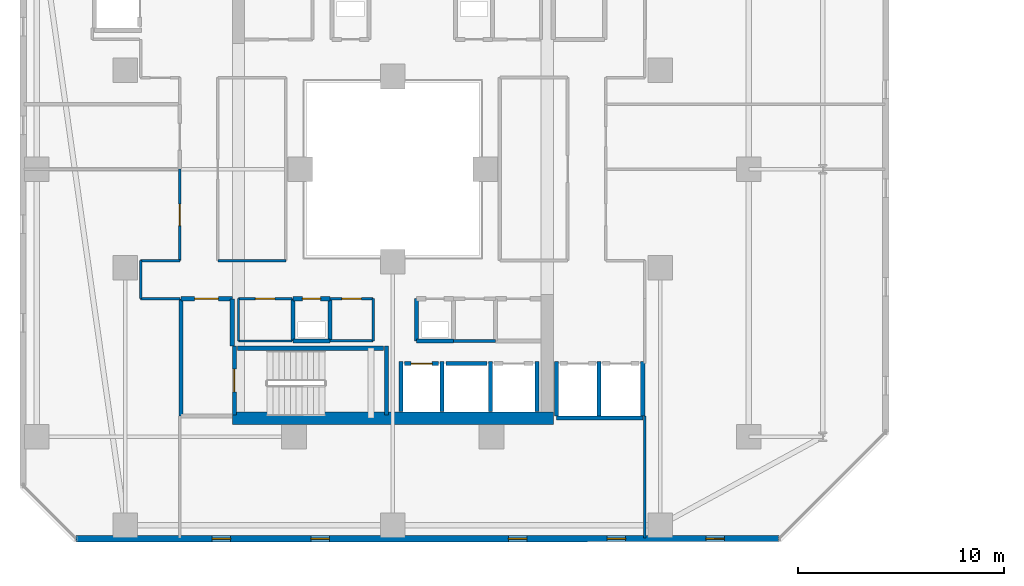
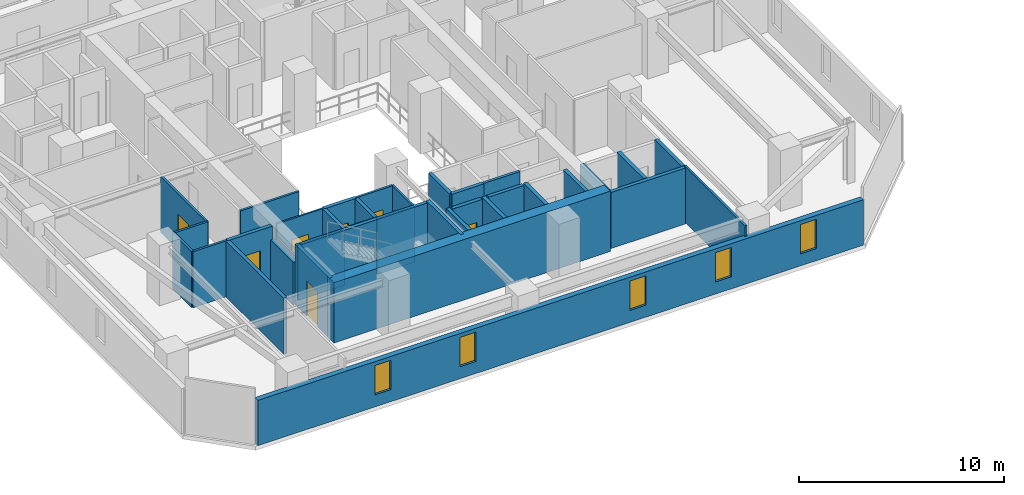
# One storey, part 16 of 31: 37 walls, 7 doors, 5 windows, 12 openings.
"""IFC4 building model written with IfcOpenShell, lengths in metres."""

from ifc_helpers import new_model, si_unit, direction, frame, frame_2d, origin, place, context, subcontext, project, spatial, rectangle, extrude, material, layer, layer_set, type_object, element, fill, save


model = new_model("IFC4")

# Units and contexts
model_context = context("Model", 3, precision=1e-05, world=origin(), true_north=direction((0.0, 1.0)))
body_context = subcontext(model_context, "Body", "Model", "MODEL_VIEW")
ifc_project = project(units=[si_unit("LENGTHUNIT", "METRE"), si_unit("AREAUNIT", "SQUARE_METRE"), si_unit("VOLUMEUNIT", "CUBIC_METRE"), si_unit("PLANEANGLEUNIT", "RADIAN"), si_unit("MASSUNIT", "GRAM", prefix="KILO")], contexts=[model_context])

# Site, building, storey
site_placement = place(None, origin())
site = spatial("IfcSite", under=ifc_project, at=site_placement, CompositionType="ELEMENT")
building_placement = place(site_placement, origin())
building = spatial("IfcBuilding", under=site, at=building_placement, Name="Thornwick Lancets Civic Towers", CompositionType="ELEMENT")
storey_placement = place(building_placement, frame((0.0, 0.0, 87.300048828125)))
storey = spatial("IfcBuildingStorey", under=building, at=storey_placement, Name="L22", CompositionType="ELEMENT", Elevation=87.300048828125)

# Wall, opening, door
ifc_material_1 = material(Name="Concrete blockwork C40/50", Category="masonry")
ifc_layer_1 = layer(ifc_material_1, 0.199951171875, Name="Concrete blockwork C40/50")
ifc_layer_set_1 = layer_set([ifc_layer_1], Name="Concrete blockwork C40/50")
wall_type_1 = type_object("IfcWallType", Name="WALL_COMP_200", PredefinedType="STANDARD", material=ifc_layer_set_1)
wall_1_placement = place(storey_placement, frame((26.080078125, 17.550048828125, 0.0), z_axis=(0.0, 0.0, 1.0), x_axis=(1.0, 0.0, 0.0)))
wall_1 = element("IfcWall", 1, at=wall_1_placement, inside=storey, type_object=wall_type_1, Name="L22 Hoistway Front Wall FL-A1", PredefinedType="STANDARD", context=body_context, shape_type="SweptSolid", body=[
    extrude(rectangle(XDim=1.639892578125, YDim=0.199951171875, at=frame_2d((0.81982421875, 0.0))), origin(), (0.0, 0.0, 1.0), 3.33984375),
])
opening_1_placement = place(wall_1_placement, frame((0.31005859375, 0.0, 0.0)))
opening_1 = element("IfcOpeningElement", 2, at=opening_1_placement, cuts=wall_1, Name="Opening LD-FL-A1", PredefinedType="OPENING", context=body_context, shape_type="SweptSolid", body=[
    extrude(rectangle(XDim=1.02001953125, YDim=2.06005859375, at=frame_2d((0.510009765625, 1.030029296875))), frame((0.0, 0.10986328125, 0.0), z_axis=(0.0, -1.0, 0.0), x_axis=(1.0, 0.0, 0.0)), (0.0, 0.0, 1.0), 0.219970703125),
])
ifc_material_2 = material(Name="Brushed bronze stainless steel", Category="steel")
door_type_1 = type_object("IfcDoorType", Name="DOOR_LIFT_SLIDE", OperationType="SLIDING_TO_LEFT", PredefinedType="DOOR", material=ifc_material_2)
door_1_placement = place(opening_1_placement, origin())
door_1 = element("IfcDoor", 3, at=door_1_placement, inside=storey, type_object=door_type_1, Name="L22 Sliding Lift Landing Door LD-FL-A1", OperationType="SLIDING_TO_LEFT", OverallHeight=2.06005859375, OverallWidth=1.02001953125, PredefinedType="DOOR", context=body_context, shape_type="SweptSolid", body=[
    extrude(rectangle(XDim=1.02001953125, YDim=2.06005859375, at=frame_2d((0.510009765625, 1.030029296875))), frame((0.0, 0.02490234375, 0.0), z_axis=(0.0, -1.0, 0.0), x_axis=(1.0, 0.0, 0.0)), (0.0, 0.0, 1.0), 0.050048828125),
])
fill(opening_1, door_1)

# Walls
wall_2_placement = place(storey_placement, frame((28.080078125, 17.550048828125, 0.0), z_axis=(0.0, 0.0, 1.0), x_axis=(1.0, 0.0, 0.0)))
element("IfcWall", 4, at=wall_2_placement, inside=storey, type_object=wall_type_1, Name="L22 Hoistway Front Wall PL-AH1", PredefinedType="STANDARD", context=body_context, shape_type="SweptSolid", body=[
    extrude(rectangle(XDim=1.989990234375, YDim=0.199951171875, at=frame_2d((0.9951171875, 0.0))), origin(), (0.0, 0.0, 1.0), 3.33984375),
])
for number, where, z_axis, x_axis, name in (
    (5, (27.89990234375, 15.2119140625, 0.0), (0.0, 0.0, 1.0), (0.0, 1.0, 0.0), "L22 Hoistway Shaft Wall FL-A1 E"),
    (6, (25.89990234375, 15.2119140625, 0.0), (0.0, 0.0, 1.0), (0.0, 1.0, 0.0), "L22 Hoistway Shaft Wall FL-A1 W"),
    (7, (30.25, 15.2119140625, 0.0), (0.0, 0.0, 1.0), (0.0, 1.0, 0.0), "L22 Hoistway Shaft Wall PL-AH1 E"),
    (8, (32.5, 15.2119140625, 0.0), (0.0, 0.0, 1.0), (0.0, 1.0, 0.0), "L22 Hoistway Shaft Wall PL-AL1 E"),
):
    element("IfcWall", number, at=place(storey_placement, frame(where, z_axis=z_axis, x_axis=x_axis)), inside=storey, type_object=wall_type_1, Name=name, PredefinedType="STANDARD", context=body_context, shape_type="SweptSolid", body=[
        extrude(rectangle(XDim=2.43603515625, YDim=0.199951171875, at=frame_2d((1.218017578125, 0.0))), origin(), (0.0, 0.0, 1.0), 3.33984375),
    ])
wall_3_placement = place(storey_placement, frame((33.451904296875, 14.89990234375, 0.0), z_axis=(0.0, 0.0, 1.0), x_axis=(1.0, 0.0, 0.0)))
element("IfcWall", 9, at=wall_3_placement, inside=storey, type_object=wall_type_1, Name="L22 Hoistway Shaft Wall PL-AL2 S", PredefinedType="STANDARD", context=body_context, shape_type="SweptSolid", body=[
    extrude(rectangle(XDim=4.196044921875, YDim=0.199951171875, at=frame_2d((2.09814453125, 0.0))), origin(), (0.0, 0.0, 1.0), 3.33984375),
])
for number, where, z_axis, x_axis, name in (
    (10, (35.52490234375, 15.011962890625, 0.0), (0.0, 0.0, 1.0), (0.0, 1.0, 0.0), "L22 Hoistway Shaft Wall PL-AL2 E"),
    (11, (33.449951171875, 15.011962890625, 0.0), (0.0, 0.0, 1.0), (0.0, 1.0, 0.0), "L22 Hoistway Shaft Wall PL-AL2 W"),
    (12, (37.64990234375, 15.011962890625, 0.0), (0.0, 0.0, 1.0), (0.0, 1.0, 0.0), "L22 Hoistway Shaft Wall PL-AL3 E"),
):
    element("IfcWall", number, at=place(storey_placement, frame(where, z_axis=z_axis, x_axis=x_axis)), inside=storey, type_object=wall_type_1, Name=name, PredefinedType="STANDARD", context=body_context, shape_type="SweptSolid", body=[
        extrude(rectangle(XDim=2.635986328125, YDim=0.199951171875, at=frame_2d((1.31787109375, 0.0))), origin(), (0.0, 0.0, 1.0), 3.33984375),
    ])
wall_4_placement = place(storey_placement, frame((17.699951171875, 18.39990234375, 0.0), z_axis=(0.0, 0.0, 1.0), x_axis=(0.0, 1.0, 0.0)))
element("IfcWall", 13, at=wall_4_placement, inside=storey, type_object=wall_type_1, Name="L22 Partition L22-A-FFLOB1 E2", PredefinedType="STANDARD", context=body_context, shape_type="SweptSolid", body=[
    extrude(rectangle(XDim=2.300048828125, YDim=0.199951171875, at=frame_2d((1.14990234375, 0.0))), origin(), (0.0, 0.0, 1.0), 2.544921875),
])

# Wall, opening, door
wall_5_placement = place(storey_placement, frame((17.699951171875, 20.699951171875, 0.0), z_axis=(0.0, 0.0, 1.0), x_axis=(-1.0, 0.0, 0.0)))
wall_5 = element("IfcWall", 14, at=wall_5_placement, inside=storey, type_object=wall_type_1, Name="L22 Partition L22-A-FFLOB1 E3", PredefinedType="STANDARD", context=body_context, shape_type="SweptSolid", body=[
    extrude(rectangle(XDim=2.5, YDim=0.199951171875, at=frame_2d((1.25, 0.0))), origin(), (0.0, 0.0, 1.0), 3.33984375),
])
opening_2_placement = place(wall_5_placement, frame((0.675048828125, 0.0, 0.0)))
opening_2 = element("IfcOpeningElement", 15, at=opening_2_placement, cuts=wall_5, Name="Opening D-L22-1007", PredefinedType="OPENING", context=body_context, shape_type="SweptSolid", body=[
    extrude(rectangle(XDim=1.14990234375, YDim=2.10009765625, at=frame_2d((0.574951171875, 1.050048828125))), frame((0.0, 0.10986328125, 0.0), z_axis=(0.0, -1.0, 0.0), x_axis=(1.0, 0.0, 0.0)), (0.0, 0.0, 1.0), 0.219970703125),
])
ifc_material_3 = material(Name="Glazed fire-resisting steel", Category="steel")
door_type_2 = type_object("IfcDoorType", Name="DOOR_LOBBY_FD60", OperationType="NOTDEFINED", PredefinedType="DOOR", material=ifc_material_3)
door_2_placement = place(opening_2_placement, origin())
door_2 = element("IfcDoor", 16, at=door_2_placement, inside=storey, type_object=door_type_2, Name="L22 South Firefighting Lobby 1 Door", OperationType="SINGLE_SWING_RIGHT", OverallHeight=2.10009765625, OverallWidth=1.14990234375, PredefinedType="DOOR", context=body_context, shape_type="SweptSolid", body=[
    extrude(rectangle(XDim=1.14990234375, YDim=2.10009765625, at=frame_2d((0.574951171875, 1.050048828125))), frame((0.0, 0.02490234375, 0.0), z_axis=(0.0, -1.0, 0.0), x_axis=(1.0, 0.0, 0.0)), (0.0, 0.0, 1.0), 0.050048828125),
])
fill(opening_2, door_2)

# Walls
wall_6_placement = place(storey_placement, frame((15.199951171875, 20.699951171875, 0.0), z_axis=(0.0, 0.0, 1.0), x_axis=(0.0, -1.0, 0.0)))
element("IfcWall", 17, at=wall_6_placement, inside=storey, type_object=wall_type_1, Name="L22 Partition L22-A-FFLOB1 E4", PredefinedType="STANDARD", context=body_context, shape_type="SweptSolid", body=[
    extrude(rectangle(XDim=5.699951171875, YDim=0.199951171875, at=frame_2d((2.85009765625, 0.0))), origin(), (0.0, 0.0, 1.0), 3.33984375),
])
wall_7_placement = place(storey_placement, frame((26.64990234375, 18.64990234375, 0.0), z_axis=(0.0, 0.0, 1.0), x_axis=(1.0, 0.0, 0.0)))
element("IfcWall", 18, at=wall_7_placement, inside=storey, type_object=wall_type_1, Name="L22 Partition L22-A-DUCT1 E1", PredefinedType="STANDARD", context=body_context, shape_type="SweptSolid", body=[
    extrude(rectangle(XDim=1.800048828125, YDim=0.199951171875, at=frame_2d((0.89990234375, 0.0))), origin(), (0.0, 0.0, 1.0), 3.33984375),
])
wall_8_placement = place(storey_placement, frame((26.64990234375, 20.699951171875, 0.0), z_axis=(0.0, 0.0, 1.0), x_axis=(0.0, -1.0, 0.0)))
element("IfcWall", 19, at=wall_8_placement, inside=storey, type_object=wall_type_1, Name="L22 Partition L22-A-DUCT1 E4", PredefinedType="STANDARD", context=body_context, shape_type="SweptSolid", body=[
    extrude(rectangle(XDim=2.050048828125, YDim=0.199951171875, at=frame_2d((1.02490234375, 0.0))), origin(), (0.0, 0.0, 1.0), 3.33984375),
])
wall_9_placement = place(storey_placement, frame((20.64990234375, 18.64990234375, 0.0), z_axis=(0.0, 0.0, 1.0), x_axis=(1.0, 0.0, 0.0)))
element("IfcWall", 20, at=wall_9_placement, inside=storey, type_object=wall_type_1, Name="L22 Partition L22-A-RISER1 E1", PredefinedType="STANDARD", context=body_context, shape_type="SweptSolid", body=[
    extrude(rectangle(XDim=1.800048828125, YDim=0.199951171875, at=frame_2d((0.89990234375, 0.0))), origin(), (0.0, 0.0, 1.0), 3.33984375),
])
wall_10_placement = place(storey_placement, frame((22.449951171875, 18.64990234375, 0.0), z_axis=(0.0, 0.0, 1.0), x_axis=(0.0, 1.0, 0.0)))
element("IfcWall", 21, at=wall_10_placement, inside=storey, type_object=wall_type_1, Name="L22 Partition L22-A-RISER1 E2", PredefinedType="STANDARD", context=body_context, shape_type="SweptSolid", body=[
    extrude(rectangle(XDim=2.050048828125, YDim=0.199951171875, at=frame_2d((1.02490234375, 0.0))), origin(), (0.0, 0.0, 1.0), 3.33984375),
])

# Wall, opening, door
wall_11_placement = place(storey_placement, frame((22.449951171875, 20.699951171875, 0.0), z_axis=(0.0, 0.0, 1.0), x_axis=(-1.0, 0.0, 0.0)))
wall_11 = element("IfcWall", 22, at=wall_11_placement, inside=storey, type_object=wall_type_1, Name="L22 Partition L22-A-RISER1 E3", PredefinedType="STANDARD", context=body_context, shape_type="SweptSolid", body=[
    extrude(rectangle(XDim=1.800048828125, YDim=0.199951171875, at=frame_2d((0.89990234375, 0.0))), origin(), (0.0, 0.0, 1.0), 3.33984375),
])
opening_3_placement = place(wall_11_placement, frame((0.4599609375, 0.0, 0.0)))
opening_3 = element("IfcOpeningElement", 23, at=opening_3_placement, cuts=wall_11, Name="Opening D-L22-1010", PredefinedType="OPENING", context=body_context, shape_type="SweptSolid", body=[
    extrude(rectangle(XDim=0.8798828125, YDim=2.0400390625, at=frame_2d((0.43994140625, 1.02001953125))), frame((0.0, 0.10986328125, 0.0), z_axis=(0.0, -1.0, 0.0), x_axis=(1.0, 0.0, 0.0)), (0.0, 0.0, 1.0), 0.219970703125),
])
ifc_material_4 = material(Name="Steel riser access doorset", Category="steel")
door_type_3 = type_object("IfcDoorType", Name="DOOR_RISER_850", OperationType="NOTDEFINED", PredefinedType="DOOR", material=ifc_material_4)
door_3_placement = place(opening_3_placement, origin())
door_3 = element("IfcDoor", 24, at=door_3_placement, inside=storey, type_object=door_type_3, Name="L22 South Electrical Riser 1 Door", OperationType="SINGLE_SWING_LEFT", OverallHeight=2.0400390625, OverallWidth=0.8798828125, PredefinedType="DOOR", context=body_context, shape_type="SweptSolid", body=[
    extrude(rectangle(XDim=0.8798828125, YDim=2.0400390625, at=frame_2d((0.43994140625, 1.02001953125))), frame((0.0, 0.02490234375, 0.0), z_axis=(0.0, -1.0, 0.0), x_axis=(1.0, 0.0, 0.0)), (0.0, 0.0, 1.0), 0.050048828125),
])
fill(opening_3, door_3)

# Walls
wall_12_placement = place(storey_placement, frame((20.64990234375, 20.699951171875, 0.0), z_axis=(0.0, 0.0, 1.0), x_axis=(0.0, -1.0, 0.0)))
element("IfcWall", 25, at=wall_12_placement, inside=storey, type_object=wall_type_1, Name="L22 Partition L22-A-RISER1 E4", PredefinedType="STANDARD", context=body_context, shape_type="SweptSolid", body=[
    extrude(rectangle(XDim=2.050048828125, YDim=0.199951171875, at=frame_2d((1.02490234375, 0.0))), origin(), (0.0, 0.0, 1.0), 3.33984375),
])
ifc_material_5 = material(Name="Concrete C60/75", Category="concrete")
ifc_layer_2 = layer(ifc_material_5, 0.60009765625, Name="Concrete C60/75")
ifc_layer_set_2 = layer_set([ifc_layer_2], Name="Concrete C60/75")
wall_type_2 = type_object("IfcWallType", Name="WALL_CORE_600", PredefinedType="SHEAR", material=ifc_layer_set_2)
wall_13_placement = place(storey_placement, frame((17.699951171875, 14.89990234375, 0.0), z_axis=(0.0, 0.0, 1.0), x_axis=(1.0, 0.0, 0.0)))
element("IfcWall", 26, at=wall_13_placement, inside=storey, type_object=wall_type_2, Name="L22 Split Core A1 Shear Wall S", PredefinedType="SHEAR", context=body_context, shape_type="SweptSolid", body=[
    extrude(rectangle(XDim=15.60009765625, YDim=0.60009765625, at=frame_2d((7.800048828125, 0.0))), origin(), (0.0, 0.0, 1.0), 3.599853515625),
])

# Wall, openings, windows
ifc_material_6 = material(Name="Insulated russet terracotta rainscreen on concrete C40/50", Category="masonry")
ifc_layer_3 = layer(ifc_material_6, 0.300048828125, Name="Insulated russet terracotta rainscreen on concrete C40/50")
ifc_layer_set_3 = layer_set([ifc_layer_3], Name="Insulated russet terracotta rainscreen on concrete C40/50")
wall_type_3 = type_object("IfcWallType", Name="WALL_EXT_RUSSET_300", PredefinedType="STANDARD", material=ifc_layer_set_3)
wall_14_placement = place(storey_placement, frame((10.11865234375, 9.035400390625, 0.0), z_axis=(0.0, 0.0, 1.0), x_axis=(0.999999970468, 0.000243032466, 0.0)))
wall_14 = element("IfcWall", 27, at=wall_14_placement, inside=storey, type_object=wall_type_3, Name="L22 Tower A Terracotta Facade Wall E0", PredefinedType="STANDARD", context=body_context, shape_type="SweptSolid", body=[
    extrude(rectangle(XDim=34.155029296875, YDim=0.300048828125, at=frame_2d((17.07763671875, 0.0))), origin(), (0.0, 0.0, 1.0), 2.699951171875),
])
opening_4_placement = place(wall_14_placement, frame((6.60009765625, 0.0, 0.719970703125)))
opening_4 = element("IfcOpeningElement", 28, at=opening_4_placement, cuts=wall_14, Name="Opening WL-01", PredefinedType="OPENING", context=body_context, shape_type="SweptSolid", body=[
    extrude(rectangle(XDim=0.89990234375, YDim=1.75, at=frame_2d((0.449951171875, 0.875))), frame((0.0, 0.16015625, 0.0), z_axis=(0.0, -1.0, 0.0), x_axis=(1.0, 0.0, 0.0)), (0.0, 0.0, 1.0), 0.320068359375),
])
opening_5_placement = place(wall_14_placement, frame((11.39990234375, 0.0, 0.719970703125)))
opening_5 = element("IfcOpeningElement", 29, at=opening_5_placement, cuts=wall_14, Name="Opening WL-01", PredefinedType="OPENING", context=body_context, shape_type="SweptSolid", body=[
    extrude(rectangle(XDim=0.89990234375, YDim=1.75, at=frame_2d((0.449951171875, 0.875))), frame((0.0, 0.16015625, 0.0), z_axis=(0.0, -1.0, 0.0), x_axis=(1.0, 0.0, 0.0)), (0.0, 0.0, 1.0), 0.320068359375),
])
opening_6_placement = place(wall_14_placement, frame((21.0, 0.0, 0.719970703125)))
opening_6 = element("IfcOpeningElement", 30, at=opening_6_placement, cuts=wall_14, Name="Opening WL-01", PredefinedType="OPENING", context=body_context, shape_type="SweptSolid", body=[
    extrude(rectangle(XDim=0.89990234375, YDim=1.75, at=frame_2d((0.449951171875, 0.875))), frame((0.0, 0.16015625, 0.0), z_axis=(0.0, -1.0, 0.0), x_axis=(1.0, 0.0, 0.0)), (0.0, 0.0, 1.0), 0.320068359375),
])
opening_7_placement = place(wall_14_placement, frame((25.800048828125, 0.0, 0.719970703125)))
opening_7 = element("IfcOpeningElement", 31, at=opening_7_placement, cuts=wall_14, Name="Opening WL-01", PredefinedType="OPENING", context=body_context, shape_type="SweptSolid", body=[
    extrude(rectangle(XDim=0.89990234375, YDim=1.75, at=frame_2d((0.449951171875, 0.875))), frame((0.0, 0.16015625, 0.0), z_axis=(0.0, -1.0, 0.0), x_axis=(1.0, 0.0, 0.0)), (0.0, 0.0, 1.0), 0.320068359375),
])
opening_8_placement = place(wall_14_placement, frame((30.60009765625, 0.0, 0.719970703125)))
opening_8 = element("IfcOpeningElement", 32, at=opening_8_placement, cuts=wall_14, Name="Opening WL-01", PredefinedType="OPENING", context=body_context, shape_type="SweptSolid", body=[
    extrude(rectangle(XDim=0.89990234375, YDim=1.75, at=frame_2d((0.449951171875, 0.875))), frame((0.0, 0.16015625, 0.0), z_axis=(0.0, -1.0, 0.0), x_axis=(1.0, 0.0, 0.0)), (0.0, 0.0, 1.0), 0.320068359375),
])
ifc_material_7 = material(Name="Clear low-e double glazing in bronze frame", Category="glass")
window_type = type_object("IfcWindowType", Name="WIN_LANCET_900", PartitioningType="SINGLE_PANEL", PredefinedType="WINDOW", material=ifc_material_7)
window_1_placement = place(opening_4_placement, origin())
window_1 = element("IfcWindow", 33, at=window_1_placement, inside=storey, type_object=window_type, Name="L22 Tower A Staggered Lancet Window E0-1", OverallHeight=1.75, OverallWidth=0.89990234375, PartitioningType="SINGLE_PANEL", PredefinedType="WINDOW", context=body_context, shape_type="SweptSolid", body=[
    extrude(rectangle(XDim=0.89990234375, YDim=1.75, at=frame_2d((0.449951171875, 0.875))), frame((0.0, 0.030029296875, 0.0), z_axis=(0.0, -1.0, 0.0), x_axis=(1.0, 0.0, 0.0)), (0.0, 0.0, 1.0), 0.06005859375),
])
fill(opening_4, window_1)
window_2_placement = place(opening_5_placement, origin())
window_2 = element("IfcWindow", 34, at=window_2_placement, inside=storey, type_object=window_type, Name="L22 Tower A Staggered Lancet Window E0-2", OverallHeight=1.75, OverallWidth=0.89990234375, PartitioningType="SINGLE_PANEL", PredefinedType="WINDOW", context=body_context, shape_type="SweptSolid", body=[
    extrude(rectangle(XDim=0.89990234375, YDim=1.75, at=frame_2d((0.449951171875, 0.875))), frame((0.0, 0.030029296875, 0.0), z_axis=(0.0, -1.0, 0.0), x_axis=(1.0, 0.0, 0.0)), (0.0, 0.0, 1.0), 0.06005859375),
])
fill(opening_5, window_2)
window_3_placement = place(opening_6_placement, origin())
window_3 = element("IfcWindow", 35, at=window_3_placement, inside=storey, type_object=window_type, Name="L22 Tower A Staggered Lancet Window E0-3", OverallHeight=1.75, OverallWidth=0.89990234375, PartitioningType="SINGLE_PANEL", PredefinedType="WINDOW", context=body_context, shape_type="SweptSolid", body=[
    extrude(rectangle(XDim=0.89990234375, YDim=1.75, at=frame_2d((0.449951171875, 0.875))), frame((0.0, 0.030029296875, 0.0), z_axis=(0.0, -1.0, 0.0), x_axis=(1.0, 0.0, 0.0)), (0.0, 0.0, 1.0), 0.06005859375),
])
fill(opening_6, window_3)
window_4_placement = place(opening_7_placement, origin())
window_4 = element("IfcWindow", 36, at=window_4_placement, inside=storey, type_object=window_type, Name="L22 Tower A Staggered Lancet Window E0-4", OverallHeight=1.75, OverallWidth=0.89990234375, PartitioningType="SINGLE_PANEL", PredefinedType="WINDOW", context=body_context, shape_type="SweptSolid", body=[
    extrude(rectangle(XDim=0.89990234375, YDim=1.75, at=frame_2d((0.449951171875, 0.875))), frame((0.0, 0.030029296875, 0.0), z_axis=(0.0, -1.0, 0.0), x_axis=(1.0, 0.0, 0.0)), (0.0, 0.0, 1.0), 0.06005859375),
])
fill(opening_7, window_4)
window_5_placement = place(opening_8_placement, origin())
window_5 = element("IfcWindow", 37, at=window_5_placement, inside=storey, type_object=window_type, Name="L22 Tower A Staggered Lancet Window E0-5", OverallHeight=1.75, OverallWidth=0.89990234375, PartitioningType="SINGLE_PANEL", PredefinedType="WINDOW", context=body_context, shape_type="SweptSolid", body=[
    extrude(rectangle(XDim=0.89990234375, YDim=1.75, at=frame_2d((0.449951171875, 0.875))), frame((0.0, 0.030029296875, 0.0), z_axis=(0.0, -1.0, 0.0), x_axis=(1.0, 0.0, 0.0)), (0.0, 0.0, 1.0), 0.06005859375),
])
fill(opening_8, window_5)

# Wall
ifc_material_8 = material(Name="Lightweight cellular office partition")
ifc_layer_4 = layer(ifc_material_8, 0.10009765625, Name="Lightweight cellular office partition")
ifc_layer_set_4 = layer_set([ifc_layer_4], Name="Lightweight cellular office partition")
wall_type_4 = type_object("IfcWallType", Name="WALL_PART_100", PredefinedType="PARTITIONING", material=ifc_layer_set_4)
wall_15_placement = place(storey_placement, frame((18.0, 18.64990234375, 0.0), z_axis=(0.0, 0.0, 1.0), x_axis=(1.0, 0.0, 0.0)))
element("IfcWall", 38, at=wall_15_placement, inside=storey, type_object=wall_type_4, Name="L22 Partition L22-A-CLN E1", PredefinedType="PARTITIONING", context=body_context, shape_type="SweptSolid", body=[
    extrude(rectangle(XDim=2.60009765625, YDim=0.10009765625, at=frame_2d((1.300048828125, 0.0))), origin(), (0.0, 0.0, 1.0), 3.33984375),
])

# Wall, opening, door
wall_16_placement = place(storey_placement, frame((20.60009765625, 20.699951171875, 0.0), z_axis=(0.0, 0.0, 1.0), x_axis=(-1.0, 0.0, 0.0)))
wall_16 = element("IfcWall", 39, at=wall_16_placement, inside=storey, type_object=wall_type_4, Name="L22 Partition L22-A-CLN E3", PredefinedType="PARTITIONING", context=body_context, shape_type="SweptSolid", body=[
    extrude(rectangle(XDim=2.60009765625, YDim=0.10009765625, at=frame_2d((1.300048828125, 0.0))), origin(), (0.0, 0.0, 1.0), 3.33984375),
])
opening_9_placement = place(wall_16_placement, frame((0.824951171875, 0.0, 0.0)))
opening_9 = element("IfcOpeningElement", 40, at=opening_9_placement, cuts=wall_16, Name="Opening D-L22-1013", PredefinedType="OPENING", context=body_context, shape_type="SweptSolid", body=[
    extrude(rectangle(XDim=0.949951171875, YDim=2.10009765625, at=frame_2d((0.47509765625, 1.050048828125))), frame((0.0, 0.06005859375, 0.0), z_axis=(0.0, -1.0, 0.0), x_axis=(1.0, 0.0, 0.0)), (0.0, 0.0, 1.0), 0.1201171875),
])
ifc_material_9 = material(Name="European oak acoustic doorset")
door_type_4 = type_object("IfcDoorType", Name="DOOR_OFFICE_950", OperationType="NOTDEFINED", PredefinedType="DOOR", material=ifc_material_9)
door_4_placement = place(opening_9_placement, origin())
door_4 = element("IfcDoor", 41, at=door_4_placement, inside=storey, type_object=door_type_4, Name="L22 Tower A Cleaners Store Door", OperationType="SINGLE_SWING_RIGHT", OverallHeight=2.10009765625, OverallWidth=0.949951171875, PredefinedType="DOOR", context=body_context, shape_type="SweptSolid", body=[
    extrude(rectangle(XDim=0.949951171875, YDim=2.10009765625, at=frame_2d((0.47509765625, 1.050048828125))), frame((0.0, 0.02490234375, 0.0), z_axis=(0.0, -1.0, 0.0), x_axis=(1.0, 0.0, 0.0)), (0.0, 0.0, 1.0), 0.050048828125),
])
fill(opening_9, door_4)

# Walls
wall_17_placement = place(storey_placement, frame((18.0, 20.699951171875, 0.0), z_axis=(0.0, 0.0, 1.0), x_axis=(0.0, -1.0, 0.0)))
element("IfcWall", 42, at=wall_17_placement, inside=storey, type_object=wall_type_4, Name="L22 Partition L22-A-CLN E4", PredefinedType="PARTITIONING", context=body_context, shape_type="SweptSolid", body=[
    extrude(rectangle(XDim=2.050048828125, YDim=0.10009765625, at=frame_2d((1.02490234375, 0.0))), origin(), (0.0, 0.0, 1.0), 2.544921875),
])
ifc_material_10 = material(Name="Acoustic gypsum board partition")
ifc_layer_5 = layer(ifc_material_10, 0.1201171875, Name="Acoustic gypsum board partition")
ifc_layer_set_5 = layer_set([ifc_layer_5], Name="Acoustic gypsum board partition")
wall_type_5 = type_object("IfcWallType", Name="WALL_PART_120", PredefinedType="PARTITIONING", material=ifc_layer_set_5)
wall_18_placement = place(storey_placement, frame((24.550048828125, 20.699951171875, 0.0), z_axis=(0.0, 0.0, 1.0), x_axis=(0.0, -1.0, 0.0)))
element("IfcWall", 43, at=wall_18_placement, inside=storey, type_object=wall_type_5, Name="L22 Partition L22-A-ITR E1", PredefinedType="PARTITIONING", context=body_context, shape_type="SweptSolid", body=[
    extrude(rectangle(XDim=2.050048828125, YDim=0.1201171875, at=frame_2d((1.02490234375, 0.0))), origin(), (0.0, 0.0, 1.0), 3.33984375),
])
wall_19_placement = place(storey_placement, frame((24.550048828125, 18.64990234375, 0.0), z_axis=(0.0, 0.0, 1.0), x_axis=(-1.0, 0.0, 0.0)))
element("IfcWall", 44, at=wall_19_placement, inside=storey, type_object=wall_type_5, Name="L22 Partition L22-A-ITR E2", PredefinedType="PARTITIONING", context=body_context, shape_type="SweptSolid", body=[
    extrude(rectangle(XDim=2.10009765625, YDim=0.1201171875, at=frame_2d((1.050048828125, 0.0))), origin(), (0.0, 0.0, 1.0), 3.33984375),
])

# Wall, opening, door
wall_20_placement = place(storey_placement, frame((22.449951171875, 20.699951171875, 0.0), z_axis=(0.0, 0.0, 1.0), x_axis=(1.0, 0.0, 0.0)))
wall_20 = element("IfcWall", 45, at=wall_20_placement, inside=storey, type_object=wall_type_5, Name="L22 Partition L22-A-ITR E4", PredefinedType="PARTITIONING", context=body_context, shape_type="SweptSolid", body=[
    extrude(rectangle(XDim=2.10009765625, YDim=0.1201171875, at=frame_2d((1.050048828125, 0.0))), origin(), (0.0, 0.0, 1.0), 3.33984375),
])
opening_10_placement = place(wall_20_placement, frame((0.574951171875, 0.0, 0.0)))
opening_10 = element("IfcOpeningElement", 46, at=opening_10_placement, cuts=wall_20, Name="Opening D-L22-1014", PredefinedType="OPENING", context=body_context, shape_type="SweptSolid", body=[
    extrude(rectangle(XDim=0.949951171875, YDim=2.10009765625, at=frame_2d((0.47509765625, 1.050048828125))), frame((0.0, 0.070068359375, 0.0), z_axis=(0.0, -1.0, 0.0), x_axis=(1.0, 0.0, 0.0)), (0.0, 0.0, 1.0), 0.14013671875),
])
door_5_placement = place(opening_10_placement, origin())
door_5 = element("IfcDoor", 47, at=door_5_placement, inside=storey, type_object=door_type_4, Name="L22 Tower A Comms Patch Room Door", OperationType="SINGLE_SWING_LEFT", OverallHeight=2.10009765625, OverallWidth=0.949951171875, PredefinedType="DOOR", context=body_context, shape_type="SweptSolid", body=[
    extrude(rectangle(XDim=0.949951171875, YDim=2.10009765625, at=frame_2d((0.47509765625, 1.050048828125))), frame((0.0, 0.02490234375, 0.0), z_axis=(0.0, -1.0, 0.0), x_axis=(1.0, 0.0, 0.0)), (0.0, 0.0, 1.0), 0.050048828125),
])
fill(opening_10, door_5)

wall_21_placement = place(storey_placement, frame((15.14990234375, 27.0, 0.0), z_axis=(0.0, 0.0, 1.0), x_axis=(0.0, -1.0, 0.0)))
wall_21 = element("IfcWall", 48, at=wall_21_placement, inside=storey, type_object=wall_type_5, Name="L22 Partition L22-A-W1 E3", PredefinedType="PARTITIONING", context=body_context, shape_type="SweptSolid", body=[
    extrude(rectangle(XDim=4.449951171875, YDim=0.1201171875, at=frame_2d((2.22509765625, 0.0))), origin(), (0.0, 0.0, 1.0), 3.33984375),
])
opening_11_placement = place(wall_21_placement, frame((1.699951171875, 0.0, 0.0)))
opening_11 = element("IfcOpeningElement", 49, at=opening_11_placement, cuts=wall_21, Name="Opening D-L22-1031", PredefinedType="OPENING", context=body_context, shape_type="SweptSolid", body=[
    extrude(rectangle(XDim=1.050048828125, YDim=2.10009765625, at=frame_2d((0.52490234375, 1.050048828125))), frame((0.0, 0.070068359375, 0.0), z_axis=(0.0, -1.0, 0.0), x_axis=(1.0, 0.0, 0.0)), (0.0, 0.0, 1.0), 0.14013671875),
])
ifc_material_11 = material(Name="Glazed European oak executive doorset")
door_type_5 = type_object("IfcDoorType", Name="DOOR_OFFICE_1050", OperationType="NOTDEFINED", PredefinedType="DOOR", material=ifc_material_11)
door_6_placement = place(opening_11_placement, origin())
door_6 = element("IfcDoor", 50, at=door_6_placement, inside=storey, type_object=door_type_5, Name="L22 Tower A Ministry Directorate Office W1 Door", OperationType="SINGLE_SWING_RIGHT", OverallHeight=2.10009765625, OverallWidth=1.050048828125, PredefinedType="DOOR", context=body_context, shape_type="SweptSolid", body=[
    extrude(rectangle(XDim=1.050048828125, YDim=2.10009765625, at=frame_2d((0.52490234375, 1.050048828125))), frame((0.0, 0.02490234375, 0.0), z_axis=(0.0, -1.0, 0.0), x_axis=(1.0, 0.0, 0.0)), (0.0, 0.0, 1.0), 0.050048828125),
])
fill(opening_11, door_6)

# Walls
wall_22_placement = place(storey_placement, frame((15.14990234375, 22.550048828125, 0.0), z_axis=(0.0, 0.0, 1.0), x_axis=(-1.0, 0.0, 0.0)))
element("IfcWall", 51, at=wall_22_placement, inside=storey, type_object=wall_type_5, Name="L22 Partition L22-A-W1 E4", PredefinedType="PARTITIONING", context=body_context, shape_type="SweptSolid", body=[
    extrude(rectangle(XDim=1.89990234375, YDim=0.1201171875, at=frame_2d((0.949951171875, 0.0))), origin(), (0.0, 0.0, 1.0), 3.33984375),
])
wall_23_placement = place(storey_placement, frame((13.25, 22.550048828125, 0.0), z_axis=(0.0, 0.0, 1.0), x_axis=(0.0, -1.0, 0.0)))
element("IfcWall", 52, at=wall_23_placement, inside=storey, type_object=wall_type_5, Name="L22 Partition L22-A-W1 E5", PredefinedType="PARTITIONING", context=body_context, shape_type="SweptSolid", body=[
    extrude(rectangle(XDim=1.85009765625, YDim=0.1201171875, at=frame_2d((0.925048828125, 0.0))), origin(), (0.0, 0.0, 1.0), 3.33984375),
])
wall_24_placement = place(storey_placement, frame((13.25, 20.699951171875, 0.0), z_axis=(0.0, 0.0, 1.0), x_axis=(1.0, 0.0, 0.0)))
element("IfcWall", 53, at=wall_24_placement, inside=storey, type_object=wall_type_5, Name="L22 Partition L22-A-W1 E6", PredefinedType="PARTITIONING", context=body_context, shape_type="SweptSolid", body=[
    extrude(rectangle(XDim=1.89990234375, YDim=0.1201171875, at=frame_2d((0.949951171875, 0.0))), origin(), (0.0, 0.0, 1.0), 3.33984375),
])
wall_25_placement = place(storey_placement, frame((37.75, 9.080078125, 0.0), z_axis=(0.0, 0.0, 1.0), x_axis=(0.0, 1.0, 0.0)))
element("IfcWall", 54, at=wall_25_placement, inside=storey, type_object=wall_type_5, Name="L22 Partition L22-A-E1 E9", PredefinedType="PARTITIONING", context=body_context, shape_type="SweptSolid", body=[
    extrude(rectangle(XDim=5.931884765625, YDim=0.1201171875, at=frame_2d((2.9658203125, 0.0))), origin(), (0.0, 0.0, 1.0), 3.33984375),
])
wall_26_placement = place(storey_placement, frame((20.300048828125, 22.550048828125, 0.0), z_axis=(0.0, 0.0, 1.0), x_axis=(-1.0, 0.0, 0.0)))
element("IfcWall", 55, at=wall_26_placement, inside=storey, type_object=wall_type_5, Name="L22 Partition L22-A-ATR-W E4", PredefinedType="PARTITIONING", context=body_context, shape_type="SweptSolid", body=[
    extrude(rectangle(XDim=3.300048828125, YDim=0.1201171875, at=frame_2d((1.64990234375, 0.0))), origin(), (0.0, 0.0, 1.0), 3.33984375),
])
ifc_material_12 = material(Name="Twin-stud acoustic gypsum board")
ifc_layer_6 = layer(ifc_material_12, 0.14990234375, Name="Twin-stud acoustic gypsum board")
ifc_layer_set_6 = layer_set([ifc_layer_6], Name="Twin-stud acoustic gypsum board")
wall_type_6 = type_object("IfcWallType", Name="WALL_PART_150", PredefinedType="PARTITIONING", material=ifc_layer_set_6)
wall_27_placement = place(storey_placement, frame((30.5, 18.64990234375, 0.0), z_axis=(0.0, 0.0, 1.0), x_axis=(-1.0, 0.0, 0.0)))
element("IfcWall", 56, at=wall_27_placement, inside=storey, type_object=wall_type_6, Name="L22 Partition L22-A-AWC E2", PredefinedType="PARTITIONING", context=body_context, shape_type="SweptSolid", body=[
    extrude(rectangle(XDim=2.050048828125, YDim=0.14990234375, at=frame_2d((1.02490234375, 0.0))), origin(), (0.0, 0.0, 1.0), 3.33984375),
])

# Wall, opening, door
ifc_material_13 = material(Name="Concrete C40/50", Category="concrete")
ifc_layer_7 = layer(ifc_material_13, 0.199951171875, Name="Concrete C40/50")
ifc_layer_set_7 = layer_set([ifc_layer_7], Name="Concrete C40/50")
wall_type_7 = type_object("IfcWallType", Name="WALL_SHAFT_200", PredefinedType="SHEAR", material=ifc_layer_set_7)
wall_28_placement = place(storey_placement, frame((17.800048828125, 15.050048828125, 0.0), z_axis=(0.0, 0.0, 1.0), x_axis=(0.0, 1.0, 0.0)))
wall_28 = element("IfcWall", 57, at=wall_28_placement, inside=storey, type_object=wall_type_7, Name="L22 ST-A1 Fire Stair Core Wall NEAR", PredefinedType="SHEAR", context=body_context, shape_type="SweptSolid", body=[
    extrude(rectangle(XDim=3.349853515625, YDim=0.199951171875, at=frame_2d((1.6748046875, 0.0))), origin(), (0.0, 0.0, 1.0), 3.599853515625),
])
opening_12_placement = place(wall_28_placement, frame((1.125, 0.0, 0.0)))
opening_12 = element("IfcOpeningElement", 58, at=opening_12_placement, cuts=wall_28, Name="Opening D-ST-A1-L22", PredefinedType="OPENING", context=body_context, shape_type="SweptSolid", body=[
    extrude(rectangle(XDim=1.10009765625, YDim=2.10009765625, at=frame_2d((0.550048828125, 1.050048828125))), frame((0.0, 0.10986328125, 0.0), z_axis=(0.0, -1.0, 0.0), x_axis=(1.0, 0.0, 0.0)), (0.0, 0.0, 1.0), 0.219970703125),
])
ifc_material_14 = material(Name="Fire-resisting steel and hardwood", Category="steel")
door_type_6 = type_object("IfcDoorType", Name="DOOR_STAIR_FD60", OperationType="NOTDEFINED", PredefinedType="DOOR", material=ifc_material_14)
door_7_placement = place(opening_12_placement, origin())
door_7 = element("IfcDoor", 59, at=door_7_placement, inside=storey, type_object=door_type_6, Name="L22 ST-A1 Exit Stair Door", OperationType="SINGLE_SWING_RIGHT", OverallHeight=2.10009765625, OverallWidth=1.10009765625, PredefinedType="DOOR", context=body_context, shape_type="SweptSolid", body=[
    extrude(rectangle(XDim=1.10009765625, YDim=2.10009765625, at=frame_2d((0.550048828125, 1.050048828125))), frame((0.0, 0.02490234375, 0.0), z_axis=(0.0, -1.0, 0.0), x_axis=(1.0, 0.0, 0.0)), (0.0, 0.0, 1.0), 0.050048828125),
])
fill(opening_12, door_7)

# Walls
wall_29_placement = place(storey_placement, frame((25.199951171875, 18.39990234375, 0.0), z_axis=(0.0, 0.0, 1.0), x_axis=(0.0, -1.0, 0.0)))
element("IfcWall", 60, at=wall_29_placement, inside=storey, type_object=wall_type_7, Name="L22 ST-A1 Fire Stair Core Wall FAR", PredefinedType="SHEAR", context=body_context, shape_type="SweptSolid", body=[
    extrude(rectangle(XDim=3.349853515625, YDim=0.199951171875, at=frame_2d((1.6748046875, 0.0))), origin(), (0.0, 0.0, 1.0), 3.599853515625),
])
wall_30_placement = place(storey_placement, frame((25.050048828125, 18.297119140625, 0.0), z_axis=(0.0, 0.0, 1.0), x_axis=(-1.0, 0.0, 0.0)))
element("IfcWall", 61, at=wall_30_placement, inside=storey, type_object=wall_type_7, Name="L22 ST-A1 Fire Stair Core Wall RIGHT", PredefinedType="SHEAR", context=body_context, shape_type="SweptSolid", body=[
    extrude(rectangle(XDim=7.10009765625, YDim=0.199951171875, at=frame_2d((3.550048828125, 0.0))), origin(), (0.0, 0.0, 1.0), 3.599853515625),
])

save(model, "model.ifc")
